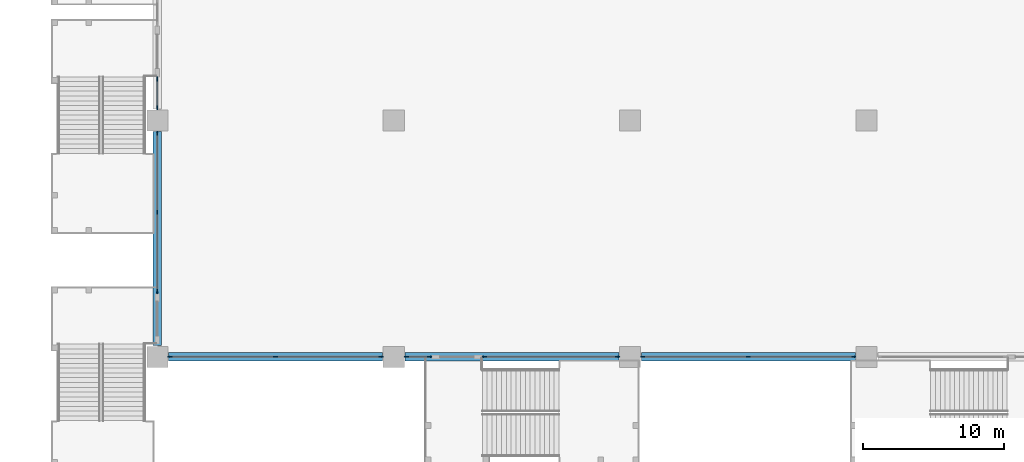
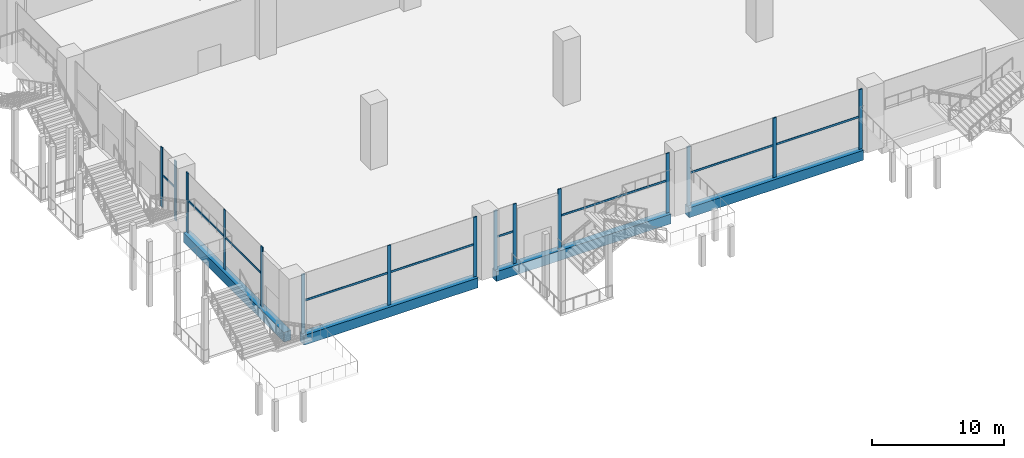
# One storey, part 4 of 49: 24 members, 4 beams, 6 elements without a shape of their own.
"""IFC4 building model written with IfcOpenShell, lengths in metres."""

import ifcopenshell
import ifcopenshell.guid

model = None  # the IFC model being written
_history = None  # IfcOwnerHistory: only IFC2X3 demands one
_inside = {}  # id of a spatial element -> (the spatial element, [elements in it])
_under = {}  # id of a project, library or spatial element -> (it, [spatial elements below it])
_declared = {}  # id of a project -> (the project, [libraries it declares])
_typed = {}  # id of a type object -> (the type object, [elements of that type])
_made_of = {}  # id of a material, layer set ... -> (it, [elements and type objects made of it])


def new_model(schema):
    """Start an empty IFC model of exactly this schema.

    Asked for "IFC4X3", IfcOpenShell would pick the latest addendum, in which some entities
    have other attributes; the version numbers below select the first issue.
    IFC2X3 requires an IfcOwnerHistory on every rooted entity: one is made here for all.
    """
    global model, _history
    if schema == "IFC4X3":
        model = ifcopenshell.file(schema_version=(4, 3, 0, 0))
    else:
        model = ifcopenshell.file(schema=schema)
    _inside.clear()
    _under.clear()
    _declared.clear()
    _typed.clear()
    _made_of.clear()
    _history = None
    if model.schema == "IFC2X3":
        org = make("IfcOrganization", Name="unknown")
        user = make(
            "IfcPersonAndOrganization",
            ThePerson=make("IfcPerson", FamilyName="unknown"),
            TheOrganization=org,
        )
        app = make(
            "IfcApplication",
            ApplicationDeveloper=org,
            Version="unknown",
            ApplicationFullName="unknown",
            ApplicationIdentifier="unknown",
        )
        _history = make(
            "IfcOwnerHistory",
            OwningUser=user,
            OwningApplication=app,
            ChangeAction="ADDED",
            CreationDate=0,
        )
    return model


def make(cls, **values):
    """One entity of the class cls with the attributes given. An attribute that is None is left unset."""
    return model.create_entity(
        cls, **{name: value for name, value in values.items() if value is not None}
    )


def rooted(cls, **values):
    """An entity with a GlobalId (a new one), such as an element, a storey or a relation."""
    return make(cls, GlobalId=ifcopenshell.guid.new(), OwnerHistory=_history, **values)


def si_unit(unit_type, name, prefix=None):
    """IfcSIUnit, for example si_unit("LENGTHUNIT", "METRE", prefix="MILLI")."""
    return make("IfcSIUnit", UnitType=unit_type, Prefix=prefix, Name=name)


def assignment(units):
    """IfcUnitAssignment: the units of a project."""
    return None if units is None else make("IfcUnitAssignment", Units=units)


def point(xyz):
    """IfcCartesianPoint."""
    return None if xyz is None else make("IfcCartesianPoint", Coordinates=xyz)


def direction(xyz):
    """IfcDirection."""
    return None if xyz is None else make("IfcDirection", DirectionRatios=xyz)


def frame(location, z_axis=None, x_axis=None):
    """IfcAxis2Placement3D, a coordinate frame: its origin and axes. An axis left out is left unset."""
    return make(
        "IfcAxis2Placement3D",
        Location=point(location),
        Axis=direction(z_axis),
        RefDirection=direction(x_axis),
    )


def frame_2d(location, x_axis=None):
    """IfcAxis2Placement2D, a coordinate frame in the plane: its origin and x axis."""
    return make(
        "IfcAxis2Placement2D", Location=point(location), RefDirection=direction(x_axis)
    )


def origin():
    """The frame at (0, 0, 0) with its axes left unset."""
    return frame((0.0, 0.0, 0.0))


def origin_2d():
    """The frame at (0, 0) in the plane with its x axis left unset."""
    return frame_2d((0.0, 0.0))


def place(relative_to, where):
    """IfcLocalPlacement: puts the frame where relative to a parent placement (None: the world)."""
    return make(
        "IfcLocalPlacement", PlacementRelTo=relative_to, RelativePlacement=where
    )


def context(
    kind, dimensions, precision=None, world=None, true_north=None, identifier=None
):
    """IfcGeometricRepresentationContext, for example the 3D "Model" context."""
    return make(
        "IfcGeometricRepresentationContext",
        ContextIdentifier=identifier,
        ContextType=kind,
        CoordinateSpaceDimension=dimensions,
        Precision=precision,
        WorldCoordinateSystem=world,
        TrueNorth=true_north,
    )


def subcontext(parent, identifier, kind, view, scale=None):
    """IfcGeometricRepresentationSubContext, for example "Body" below "Model"."""
    return make(
        "IfcGeometricRepresentationSubContext",
        ContextIdentifier=identifier,
        ContextType=kind,
        ParentContext=parent,
        TargetScale=scale,
        TargetView=view,
    )


def project(units=None, contexts=None):
    """IfcProject with its units and contexts."""
    return rooted(
        "IfcProject",
        Name="project",
        RepresentationContexts=contexts,
        UnitsInContext=assignment(units),
    )


def spatial(cls, under=None, at=None, **own):
    """A site, building, storey or space (cls), placed at a placement, below another one or the project."""
    s = rooted(cls, ObjectPlacement=at, **own)
    if under is not None:
        _under.setdefault(under.id(), (under, []))[1].append(s)
    return s


def profile(cls, at=None, kind="AREA", **sizes):
    """A parametric profile (cls). Its sizes go by their IFC names, for example OverallWidth=200.0."""
    return make(cls, ProfileType=kind, Position=at, **sizes)


def rectangle(**sizes):
    """IfcRectangleProfileDef."""
    return profile("IfcRectangleProfileDef", **sizes)


def extrude(swept, where, along, depth):
    """IfcExtrudedAreaSolid: the profile swept, set in the frame where, extruded along a direction by depth."""
    return make(
        "IfcExtrudedAreaSolid",
        SweptArea=swept,
        Position=where,
        ExtrudedDirection=direction(along),
        Depth=depth,
    )


def shape(context_of_items, identifier, shape_type, items):
    """IfcShapeRepresentation: the items that make up one representation, for example the "Body"."""
    return make(
        "IfcShapeRepresentation",
        ContextOfItems=context_of_items,
        RepresentationIdentifier=identifier,
        RepresentationType=shape_type,
        Items=items,
    )


def material(Name=None, Category=None):
    """IfcMaterial."""
    return make("IfcMaterial", Name=Name, Category=Category)


def material_profile(
    of_material, cross_section, Name=None, Category=None, Priority=None
):
    """IfcMaterialProfile: a cross section and its material."""
    return make(
        "IfcMaterialProfile",
        Name=Name,
        Material=of_material,
        Profile=cross_section,
        Priority=Priority,
        Category=Category,
    )


def profile_set(profiles, Name=None, composite=None):
    """IfcMaterialProfileSet."""
    return make(
        "IfcMaterialProfileSet",
        Name=Name,
        MaterialProfiles=profiles,
        CompositeProfile=composite,
    )


def made_of(thing, what):
    """Note that an element or type object is made of a material, layer set ...; save() writes the relation."""
    if what is not None:
        _made_of.setdefault(what.id(), (what, []))[1].append(thing)
    return thing


def type_object(cls, material=None, **own):
    """A type object (cls), such as IfcWallType, which elements share."""
    return made_of(rooted(cls, **own), material)


def element(
    cls,
    number,
    at=None,
    inside=None,
    cuts=None,
    type_object=None,
    material=None,
    context=None,
    identifier="Body",
    shape_type=None,
    held_by="IfcProductDefinitionShape",
    body=None,
    shapes=None,
    **own,
):
    """One element of the class cls, such as IfcWall. Its Tag is "e" and its number.

    at: its placement. inside: the storey or other place that contains it. cuts: it is an
    opening in that element (IfcRelVoidsElement). A single representation is given by context,
    identifier, shape_type and body (its items); several are given by shapes. held_by: the class
    of the entity that holds the representations. save() writes the other relations.
    """
    e = rooted(cls, Tag="e%d" % number, ObjectPlacement=at, **own)
    if body is not None:
        shapes = [shape(context, identifier, shape_type, body)]
    if shapes is not None:
        e.Representation = make(held_by, Representations=shapes)
    if inside is not None:
        _inside.setdefault(inside.id(), (inside, []))[1].append(e)
    if cuts is not None:
        rooted(
            "IfcRelVoidsElement", RelatingBuildingElement=cuts, RelatedOpeningElement=e
        )
    if type_object is not None:
        _typed.setdefault(type_object.id(), (type_object, []))[1].append(e)
    return made_of(e, material)


def aggregate(whole, parts):
    """IfcRelAggregates: a whole, such as a stair, and the parts it consists of."""
    return rooted("IfcRelAggregates", RelatingObject=whole, RelatedObjects=parts)


def save(model, path):
    """Write the relations noted so far, then the file.

    IfcRelAggregates (storeys below a building ...), IfcRelContainedInSpatialStructure (elements
    in a storey), IfcRelDefinesByType, IfcRelAssociatesMaterial and IfcRelDeclares: one each for
    every whole, place, type object, material and project.
    """
    for whole, parts in _under.values():
        aggregate(whole, parts)
    for where, things in _inside.values():
        rooted(
            "IfcRelContainedInSpatialStructure",
            RelatedElements=things,
            RelatingStructure=where,
        )
    for kind, things in _typed.values():
        rooted("IfcRelDefinesByType", RelatedObjects=things, RelatingType=kind)
    for what, things in _made_of.values():
        rooted("IfcRelAssociatesMaterial", RelatedObjects=things, RelatingMaterial=what)
    for by, libraries in _declared.values():
        rooted("IfcRelDeclares", RelatingContext=by, RelatedDefinitions=libraries)
    model.write(path)


model = new_model("IFC4")

# Units and contexts
model_context = context("Model", 3, precision=1e-05, world=origin(), true_north=direction((0.0, 1.0)))
body_context = subcontext(model_context, "Body", "Model", "MODEL_VIEW")
ifc_project = project(units=[si_unit("LENGTHUNIT", "METRE"), si_unit("AREAUNIT", "SQUARE_METRE"), si_unit("VOLUMEUNIT", "CUBIC_METRE"), si_unit("PLANEANGLEUNIT", "RADIAN"), si_unit("MASSUNIT", "GRAM", prefix="KILO")], contexts=[model_context])

# Site, building, storey
site_placement = place(None, origin())
site = spatial("IfcSite", under=ifc_project, at=site_placement, CompositionType="ELEMENT")
building_placement = place(site_placement, origin())
building = spatial("IfcBuilding", under=site, at=building_placement, Name="Candeia Pilgrim Tower and Theatre", CompositionType="ELEMENT")
storey_placement = place(building_placement, frame((0.0, 0.0, 17.0)))
storey = spatial("IfcBuildingStorey", under=building, at=storey_placement, Name="L02", CompositionType="ELEMENT", Elevation=17.0)

# Curtain wall, members
ifc_material_1 = material(Name="Aluminium framed podium glazing", Category="aluminium")
curtain_wall_type = type_object("IfcCurtainWallType", Name="CW-P curtain wall", PredefinedType="NOTDEFINED", material=ifc_material_1)
curtain_wall_1_placement = place(storey_placement, origin())
curtain_wall_1 = element("IfcCurtainWall", 1, at=curtain_wall_1_placement, inside=storey, type_object=curtain_wall_type, Name="Curtain wall CW-P L02.000", PredefinedType="NOTDEFINED")
ifc_material_2 = material(Name="Anodised aluminium", Category="aluminium")
ifc_material_profile_1 = material_profile(ifc_material_2, rectangle(XDim=0.080078125, YDim=0.300048828125, at=origin_2d()))
ifc_profile_set_1 = profile_set([ifc_material_profile_1], Name="Anodised aluminium")
member_type_1 = type_object("IfcMemberType", Name="CW-P mullion 80x300", PredefinedType="MULLION", material=ifc_profile_set_1)
member_1_placement = place(storey_placement, frame((58.800048828125, 69.050048828125, 0.0), z_axis=(0.0, 0.0, 1.0), x_axis=(-1.0, 0.0, 0.0)))
member_1 = element("IfcMember", 2, at=member_1_placement, type_object=member_type_1, Name="CW-P mullion 1", PredefinedType="MULLION", context=body_context, shape_type="SweptSolid", body=[
    extrude(rectangle(XDim=0.080078125, YDim=0.300048828125, at=origin_2d()), origin(), (0.0, 0.0, 1.0), 5.5),
])
member_2_placement = place(storey_placement, frame((58.800048828125, 74.675048828125, 0.0), z_axis=(0.0, 0.0, 1.0), x_axis=(-1.0, 0.0, 0.0)))
member_2 = element("IfcMember", 3, at=member_2_placement, type_object=member_type_1, Name="CW-P mullion 2", PredefinedType="MULLION", context=body_context, shape_type="SweptSolid", body=[
    extrude(rectangle(XDim=0.080078125, YDim=0.300048828125, at=origin_2d()), origin(), (0.0, 0.0, 1.0), 5.5),
])
member_3_placement = place(storey_placement, frame((58.800048828125, 80.300048828125, 0.0), z_axis=(0.0, 0.0, 1.0), x_axis=(-1.0, 0.0, 0.0)))
member_3 = element("IfcMember", 4, at=member_3_placement, type_object=member_type_1, Name="CW-P mullion 3", PredefinedType="MULLION", context=body_context, shape_type="SweptSolid", body=[
    extrude(rectangle(XDim=0.080078125, YDim=0.300048828125, at=origin_2d()), origin(), (0.0, 0.0, 1.0), 5.5),
])

curtain_wall_2_placement = place(storey_placement, origin())
curtain_wall_2 = element("IfcCurtainWall", 5, at=curtain_wall_2_placement, inside=storey, type_object=curtain_wall_type, Name="Curtain wall CW-P L02.010", PredefinedType="NOTDEFINED")
member_4_placement = place(storey_placement, frame((58.800048828125, 82.10009765625, 0.0), z_axis=(0.0, 0.0, 1.0), x_axis=(-1.0, 0.0, 0.0)))
member_4 = element("IfcMember", 6, at=member_4_placement, type_object=member_type_1, Name="CW-P mullion 1", PredefinedType="MULLION", context=body_context, shape_type="SweptSolid", body=[
    extrude(rectangle(XDim=0.080078125, YDim=0.300048828125, at=origin_2d()), origin(), (0.0, 0.0, 1.0), 5.5),
])
member_5_placement = place(storey_placement, frame((58.800048828125, 84.14990234375, 0.0), z_axis=(0.0, 0.0, 1.0), x_axis=(-1.0, 0.0, 0.0)))
member_5 = element("IfcMember", 7, at=member_5_placement, type_object=member_type_1, Name="CW-P mullion 2", PredefinedType="MULLION", context=body_context, shape_type="SweptSolid", body=[
    extrude(rectangle(XDim=0.080078125, YDim=0.300048828125, at=origin_2d()), origin(), (0.0, 0.0, 1.0), 5.5),
])

curtain_wall_3_placement = place(storey_placement, origin())
curtain_wall_3 = element("IfcCurtainWall", 8, at=curtain_wall_3_placement, inside=storey, type_object=curtain_wall_type, Name="Curtain wall CW-P L02.330", PredefinedType="NOTDEFINED")
member_6_placement = place(storey_placement, frame((108.300048828125, 64.39990234375, 0.0), z_axis=(0.0, 0.0, 1.0), x_axis=(0.0, -1.0, 0.0)))
member_6 = element("IfcMember", 9, at=member_6_placement, type_object=member_type_1, Name="CW-P mullion 1", PredefinedType="MULLION", context=body_context, shape_type="SweptSolid", body=[
    extrude(rectangle(XDim=0.080078125, YDim=0.300048828125, at=origin_2d()), origin(), (0.0, 0.0, 1.0), 5.5),
])
member_7_placement = place(storey_placement, frame((100.800048828125, 64.39990234375, 0.0), z_axis=(0.0, 0.0, 1.0), x_axis=(0.0, -1.0, 0.0)))
member_7 = element("IfcMember", 10, at=member_7_placement, type_object=member_type_1, Name="CW-P mullion 2", PredefinedType="MULLION", context=body_context, shape_type="SweptSolid", body=[
    extrude(rectangle(XDim=0.080078125, YDim=0.300048828125, at=origin_2d()), origin(), (0.0, 0.0, 1.0), 5.5),
])
member_8_placement = place(storey_placement, frame((93.300048828125, 64.39990234375, 0.0), z_axis=(0.0, 0.0, 1.0), x_axis=(0.0, -1.0, 0.0)))
member_8 = element("IfcMember", 11, at=member_8_placement, type_object=member_type_1, Name="CW-P mullion 3", PredefinedType="MULLION", context=body_context, shape_type="SweptSolid", body=[
    extrude(rectangle(XDim=0.080078125, YDim=0.300048828125, at=origin_2d()), origin(), (0.0, 0.0, 1.0), 5.5),
])

curtain_wall_4_placement = place(storey_placement, origin())
curtain_wall_4 = element("IfcCurtainWall", 12, at=curtain_wall_4_placement, inside=storey, type_object=curtain_wall_type, Name="Curtain wall CW-P L02.340", PredefinedType="NOTDEFINED")
member_9_placement = place(storey_placement, frame((91.5, 64.39990234375, 0.0), z_axis=(0.0, 0.0, 1.0), x_axis=(0.0, -1.0, 0.0)))
member_9 = element("IfcMember", 13, at=member_9_placement, type_object=member_type_1, Name="CW-P mullion 1", PredefinedType="MULLION", context=body_context, shape_type="SweptSolid", body=[
    extrude(rectangle(XDim=0.080078125, YDim=0.300048828125, at=origin_2d()), origin(), (0.0, 0.0, 1.0), 5.5),
])
member_10_placement = place(storey_placement, frame((82.050048828125, 64.39990234375, 0.0), z_axis=(0.0, 0.0, 1.0), x_axis=(0.0, -1.0, 0.0)))
member_10 = element("IfcMember", 14, at=member_10_placement, type_object=member_type_1, Name="CW-P mullion 2", PredefinedType="MULLION", context=body_context, shape_type="SweptSolid", body=[
    extrude(rectangle(XDim=0.080078125, YDim=0.300048828125, at=origin_2d()), origin(), (0.0, 0.0, 1.0), 5.5),
])

curtain_wall_5_placement = place(storey_placement, origin())
curtain_wall_5 = element("IfcCurtainWall", 15, at=curtain_wall_5_placement, inside=storey, type_object=curtain_wall_type, Name="Curtain wall CW-P L02.341", PredefinedType="NOTDEFINED")
member_11_placement = place(storey_placement, frame((78.14990234375, 64.39990234375, 0.0), z_axis=(0.0, 0.0, 1.0), x_axis=(0.0, -1.0, 0.0)))
member_11 = element("IfcMember", 16, at=member_11_placement, type_object=member_type_1, Name="CW-P mullion 1", PredefinedType="MULLION", context=body_context, shape_type="SweptSolid", body=[
    extrude(rectangle(XDim=0.080078125, YDim=0.300048828125, at=origin_2d()), origin(), (0.0, 0.0, 1.0), 5.5),
])
member_12_placement = place(storey_placement, frame((76.5, 64.39990234375, 0.0), z_axis=(0.0, 0.0, 1.0), x_axis=(0.0, -1.0, 0.0)))
member_12 = element("IfcMember", 17, at=member_12_placement, type_object=member_type_1, Name="CW-P mullion 2", PredefinedType="MULLION", context=body_context, shape_type="SweptSolid", body=[
    extrude(rectangle(XDim=0.080078125, YDim=0.300048828125, at=origin_2d()), origin(), (0.0, 0.0, 1.0), 5.5),
])

curtain_wall_6_placement = place(storey_placement, origin())
curtain_wall_6 = element("IfcCurtainWall", 18, at=curtain_wall_6_placement, inside=storey, type_object=curtain_wall_type, Name="Curtain wall CW-P L02.350", PredefinedType="NOTDEFINED")
member_13_placement = place(storey_placement, frame((74.699951171875, 64.39990234375, 0.0), z_axis=(0.0, 0.0, 1.0), x_axis=(0.0, -1.0, 0.0)))
member_13 = element("IfcMember", 19, at=member_13_placement, type_object=member_type_1, Name="CW-P mullion 1", PredefinedType="MULLION", context=body_context, shape_type="SweptSolid", body=[
    extrude(rectangle(XDim=0.080078125, YDim=0.300048828125, at=origin_2d()), origin(), (0.0, 0.0, 1.0), 5.5),
])
member_14_placement = place(storey_placement, frame((67.199951171875, 64.39990234375, 0.0), z_axis=(0.0, 0.0, 1.0), x_axis=(0.0, -1.0, 0.0)))
member_14 = element("IfcMember", 20, at=member_14_placement, type_object=member_type_1, Name="CW-P mullion 2", PredefinedType="MULLION", context=body_context, shape_type="SweptSolid", body=[
    extrude(rectangle(XDim=0.080078125, YDim=0.300048828125, at=origin_2d()), origin(), (0.0, 0.0, 1.0), 5.5),
])
member_15_placement = place(storey_placement, frame((59.699951171875, 64.39990234375, 0.0), z_axis=(0.0, 0.0, 1.0), x_axis=(0.0, -1.0, 0.0)))
member_15 = element("IfcMember", 21, at=member_15_placement, type_object=member_type_1, Name="CW-P mullion 3", PredefinedType="MULLION", context=body_context, shape_type="SweptSolid", body=[
    extrude(rectangle(XDim=0.080078125, YDim=0.300048828125, at=origin_2d()), origin(), (0.0, 0.0, 1.0), 5.5),
])

# Member
ifc_material_profile_2 = material_profile(ifc_material_2, rectangle(XDim=0.080078125, YDim=0.179931640625, at=origin_2d()))
ifc_profile_set_2 = profile_set([ifc_material_profile_2], Name="Anodised aluminium")
member_type_2 = type_object("IfcMemberType", Name="CW-P transom 80x180", PredefinedType="USERDEFINED", material=ifc_profile_set_2)
member_16_placement = place(storey_placement, frame((58.800048828125, 69.090087890625, 3.0), z_axis=(0.0, 1.0, 0.0), x_axis=(-1.0, 0.0, 0.0)))
member_16 = element("IfcMember", 22, at=member_16_placement, type_object=member_type_2, Name="CW-P transom 1.1", ObjectType="TRANSOM", PredefinedType="USERDEFINED", context=body_context, shape_type="SweptSolid", body=[
    extrude(rectangle(XDim=0.080078125, YDim=0.179931640625, at=origin_2d()), origin(), (0.0, 0.0, 1.0), 5.544921875),
])

member_17_placement = place(storey_placement, frame((58.800048828125, 74.715087890625, 3.0), z_axis=(0.0, 1.0, 0.0), x_axis=(-1.0, 0.0, 0.0)))
member_17 = element("IfcMember", 23, at=member_17_placement, type_object=member_type_2, Name="CW-P transom 2.1", ObjectType="TRANSOM", PredefinedType="USERDEFINED", context=body_context, shape_type="SweptSolid", body=[
    extrude(rectangle(XDim=0.080078125, YDim=0.179931640625, at=origin_2d()), origin(), (0.0, 0.0, 1.0), 5.544921875),
])

aggregate(curtain_wall_1, [member_1, member_2, member_3, member_16, member_17])

member_18_placement = place(storey_placement, frame((58.800048828125, 82.139892578125, 3.0), z_axis=(0.0, 1.0, 0.0), x_axis=(-1.0, 0.0, 0.0)))
member_18 = element("IfcMember", 24, at=member_18_placement, type_object=member_type_2, Name="CW-P transom 1.1", ObjectType="TRANSOM", PredefinedType="USERDEFINED", context=body_context, shape_type="SweptSolid", body=[
    extrude(rectangle(XDim=0.080078125, YDim=0.179931640625, at=origin_2d()), origin(), (0.0, 0.0, 1.0), 1.97021484375),
])

aggregate(curtain_wall_2, [member_4, member_5, member_18])

member_19_placement = place(storey_placement, frame((108.260009765625, 64.39990234375, 3.0), z_axis=(-1.0, 0.0, 0.0), x_axis=(0.0, -1.0, 0.0)))
member_19 = element("IfcMember", 25, at=member_19_placement, type_object=member_type_2, Name="CW-P transom 1.1", ObjectType="TRANSOM", PredefinedType="USERDEFINED", context=body_context, shape_type="SweptSolid", body=[
    extrude(rectangle(XDim=0.080078125, YDim=0.179931640625, at=origin_2d()), origin(), (0.0, 0.0, 1.0), 7.419921875),
])

member_20_placement = place(storey_placement, frame((100.760009765625, 64.39990234375, 3.0), z_axis=(-1.0, 0.0, 0.0), x_axis=(0.0, -1.0, 0.0)))
member_20 = element("IfcMember", 26, at=member_20_placement, type_object=member_type_2, Name="CW-P transom 2.1", ObjectType="TRANSOM", PredefinedType="USERDEFINED", context=body_context, shape_type="SweptSolid", body=[
    extrude(rectangle(XDim=0.080078125, YDim=0.179931640625, at=origin_2d()), origin(), (0.0, 0.0, 1.0), 7.419921875),
])

aggregate(curtain_wall_3, [member_6, member_7, member_8, member_19, member_20])

member_21_placement = place(storey_placement, frame((91.4599609375, 64.39990234375, 3.0), z_axis=(-1.0, 0.0, 0.0), x_axis=(0.0, -1.0, 0.0)))
member_21 = element("IfcMember", 27, at=member_21_placement, type_object=member_type_2, Name="CW-P transom 1.1", ObjectType="TRANSOM", PredefinedType="USERDEFINED", context=body_context, shape_type="SweptSolid", body=[
    extrude(rectangle(XDim=0.080078125, YDim=0.179931640625, at=origin_2d()), origin(), (0.0, 0.0, 1.0), 9.369873046875),
])

aggregate(curtain_wall_4, [member_9, member_10, member_21])

member_22_placement = place(storey_placement, frame((78.110107421875, 64.39990234375, 3.0), z_axis=(-1.0, 0.0, 0.0), x_axis=(0.0, -1.0, 0.0)))
member_22 = element("IfcMember", 28, at=member_22_placement, type_object=member_type_2, Name="CW-P transom 1.1", ObjectType="TRANSOM", PredefinedType="USERDEFINED", context=body_context, shape_type="SweptSolid", body=[
    extrude(rectangle(XDim=0.080078125, YDim=0.179931640625, at=origin_2d()), origin(), (0.0, 0.0, 1.0), 1.570068359375),
])

aggregate(curtain_wall_5, [member_11, member_12, member_22])

member_23_placement = place(storey_placement, frame((74.659912109375, 64.39990234375, 3.0), z_axis=(-1.0, 0.0, 0.0), x_axis=(0.0, -1.0, 0.0)))
member_23 = element("IfcMember", 29, at=member_23_placement, type_object=member_type_2, Name="CW-P transom 1.1", ObjectType="TRANSOM", PredefinedType="USERDEFINED", context=body_context, shape_type="SweptSolid", body=[
    extrude(rectangle(XDim=0.080078125, YDim=0.179931640625, at=origin_2d()), origin(), (0.0, 0.0, 1.0), 7.419921875),
])

member_24_placement = place(storey_placement, frame((67.159912109375, 64.39990234375, 3.0), z_axis=(-1.0, 0.0, 0.0), x_axis=(0.0, -1.0, 0.0)))
member_24 = element("IfcMember", 30, at=member_24_placement, type_object=member_type_2, Name="CW-P transom 2.1", ObjectType="TRANSOM", PredefinedType="USERDEFINED", context=body_context, shape_type="SweptSolid", body=[
    extrude(rectangle(XDim=0.080078125, YDim=0.179931640625, at=origin_2d()), origin(), (0.0, 0.0, 1.0), 7.419921875),
])

aggregate(curtain_wall_6, [member_13, member_14, member_15, member_23, member_24])

# Beams
ifc_material_3 = material(Name="Concrete C80/95", Category="concrete")
ifc_material_profile_3 = material_profile(ifc_material_3, rectangle(XDim=0.60009765625, YDim=0.89990234375, at=origin_2d()))
ifc_profile_set_3 = profile_set([ifc_material_profile_3], Name="Concrete C80/95")
beam_type = type_object("IfcBeamType", Name="RC 600x900 C80/95", PredefinedType="BEAM", material=ifc_profile_set_3)
for number, where, z_axis, x_axis, name in (
    (31, (58.800048828125, 80.39990234375, -0.449951171875), (0.0, -1.0, 0.0), (1.0, 0.0, 0.0), "Spandrel beam L02-22"),
    (32, (59.60009765625, 64.39990234375, -0.449951171875), (1.0, 0.0, 0.0), (0.0, 1.0, 0.0), "Spandrel beam L02-23"),
):
    element("IfcBeam", number, at=place(storey_placement, frame(where, z_axis=z_axis, x_axis=x_axis)), inside=storey, type_object=beam_type, Name=name, PredefinedType="BEAM", context=body_context, shape_type="SweptSolid", body=[
        extrude(rectangle(XDim=0.60009765625, YDim=0.89990234375, at=origin_2d()), origin(), (0.0, 0.0, 1.0), 15.199951171875),
    ])
beam_1_placement = place(storey_placement, frame((76.39990234375, 64.39990234375, -0.449951171875), z_axis=(1.0, 0.0, 0.0), x_axis=(0.0, 1.0, 0.0)))
element("IfcBeam", 33, at=beam_1_placement, inside=storey, type_object=beam_type, Name="Spandrel beam L02-24", PredefinedType="BEAM", context=body_context, shape_type="SweptSolid", body=[
    extrude(rectangle(XDim=0.60009765625, YDim=0.89990234375, at=origin_2d()), origin(), (0.0, 0.0, 1.0), 15.2001953125),
])
beam_2_placement = place(storey_placement, frame((93.199951171875, 64.39990234375, -0.449951171875), z_axis=(1.0, 0.0, 0.0), x_axis=(0.0, 1.0, 0.0)))
element("IfcBeam", 34, at=beam_2_placement, inside=storey, type_object=beam_type, Name="Spandrel beam L02-25", PredefinedType="BEAM", context=body_context, shape_type="SweptSolid", body=[
    extrude(rectangle(XDim=0.60009765625, YDim=0.89990234375, at=origin_2d()), origin(), (0.0, 0.0, 1.0), 15.199951171875),
])

save(model, "model.ifc")
